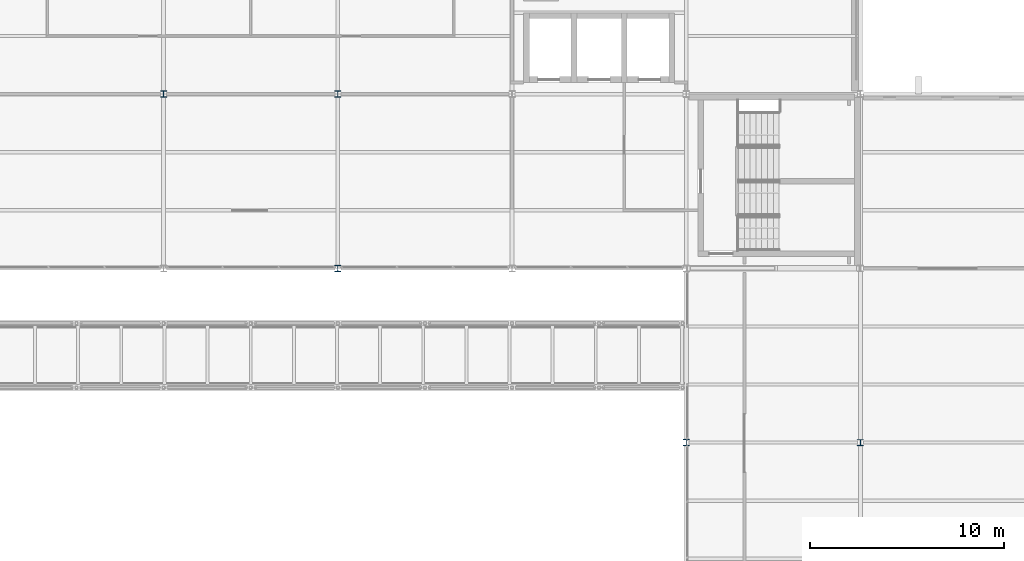
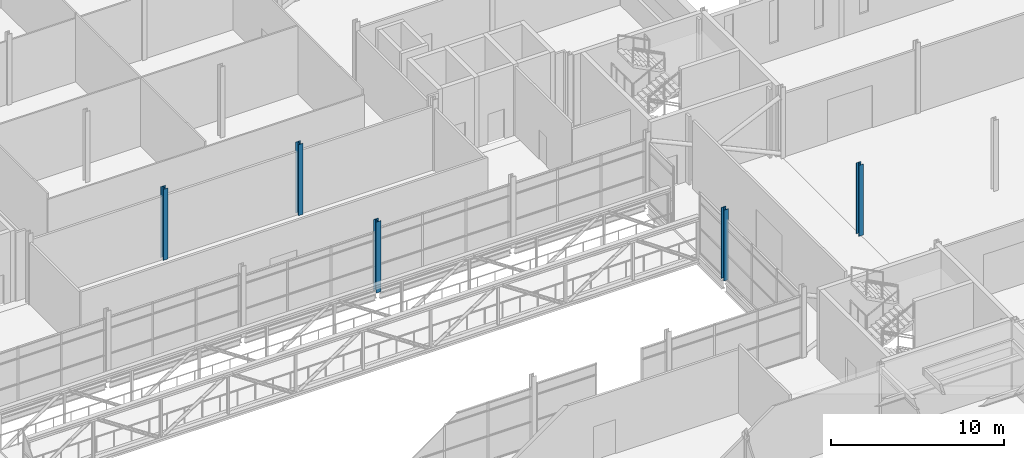
# One storey, part 11 of 115: 5 columns.
"""IFC4 building model written with IfcOpenShell, lengths in metres."""

from ifc_helpers import new_model, si_unit, direction, frame, origin, origin_2d, place, context, subcontext, project, spatial, i_section, extrude, material, material_profile, profile_set, type_object, element, save


model = new_model("IFC4")

# Units and contexts
model_context = context("Model", 3, precision=1e-05, world=origin(), true_north=direction((0.0, 1.0)))
body_context = subcontext(model_context, "Body", "Model", "MODEL_VIEW")
ifc_project = project(units=[si_unit("LENGTHUNIT", "METRE"), si_unit("AREAUNIT", "SQUARE_METRE"), si_unit("VOLUMEUNIT", "CUBIC_METRE"), si_unit("PLANEANGLEUNIT", "RADIAN"), si_unit("MASSUNIT", "GRAM", prefix="KILO")], contexts=[model_context])

# Site, building, storey
site_placement = place(None, origin())
site = spatial("IfcSite", under=ifc_project, at=site_placement, CompositionType="ELEMENT")
building_placement = place(site_placement, origin())
building = spatial("IfcBuilding", under=site, at=building_placement, Name="Shorebreak Coast Museum", CompositionType="ELEMENT")
storey_placement = place(building_placement, frame((0.0, 0.0, 11.0)))
storey = spatial("IfcBuildingStorey", under=building, at=storey_placement, Name="L02", CompositionType="ELEMENT", Elevation=11.0)

# Columns
ifc_material_1 = material(Name="Steel Grade 300", Category="steel")
ifc_material_profile_1 = material_profile(ifc_material_1, i_section(OverallWidth=0.306884765625, OverallDepth=0.314697265625, WebThickness=0.011962890625, FlangeThickness=0.018798828125, FilletRadius=0.0166015625, at=origin_2d()), Name="310UC118")
ifc_profile_set_1 = profile_set([ifc_material_profile_1], Name="Steel Grade 300")
column_type_1 = type_object("IfcColumnType", Name="Column 310UC118", PredefinedType="COLUMN", material=ifc_profile_set_1)
column_placement = place(storey_placement, frame((117.0, 72.0, 0.0), z_axis=(0.0, 0.0, 1.0), x_axis=(1.0, 0.0, 0.0)))
element("IfcColumn", 1, at=column_placement, inside=storey, type_object=column_type_1, Name="Column L02 14J", PredefinedType="COLUMN", context=body_context, shape_type="SweptSolid", body=[
    extrude(i_section(OverallWidth=0.306884765625, OverallDepth=0.314697265625, WebThickness=0.011962890625, FlangeThickness=0.018798828125, FilletRadius=0.0166015625, at=origin_2d()), origin(), (0.0, 0.0, 1.0), 5.0),
])
ifc_material_2 = material(Name="Steel Grade 300", Category="steel")
ifc_material_profile_2 = material_profile(ifc_material_2, i_section(OverallWidth=0.31103515625, OverallDepth=0.3271484375, WebThickness=0.015625, FlangeThickness=0.02490234375, FilletRadius=0.0166015625, at=origin_2d()), Name="310UC158")
ifc_profile_set_2 = profile_set([ifc_material_profile_2], Name="Steel Grade 300")
column_type_2 = type_object("IfcColumnType", Name="Column 310UC158", PredefinedType="COLUMN", material=ifc_profile_set_2)
for number, where, z_axis, x_axis, name in (
    (2, (108.0, 72.0, 0.0), (0.0, 0.0, 1.0), (1.0, 0.0, 0.0), "Column L02 13J"),
    (3, (90.0, 81.0, 0.0), (0.0, 0.0, 1.0), (1.0, 0.0, 0.0), "Column L02 11K"),
    (4, (81.0, 90.0, 0.0), (0.0, 0.0, 1.0), (1.0, 0.0, 0.0), "Column L02 10L"),
    (5, (90.0, 90.0, 0.0), (0.0, 0.0, 1.0), (1.0, 0.0, 0.0), "Column L02 11L"),
):
    element("IfcColumn", number, at=place(storey_placement, frame(where, z_axis=z_axis, x_axis=x_axis)), inside=storey, type_object=column_type_2, Name=name, PredefinedType="COLUMN", context=body_context, shape_type="SweptSolid", body=[
        extrude(i_section(OverallWidth=0.31103515625, OverallDepth=0.3271484375, WebThickness=0.015625, FlangeThickness=0.02490234375, FilletRadius=0.0166015625, at=origin_2d()), origin(), (0.0, 0.0, 1.0), 5.0),
    ])

save(model, "model.ifc")
